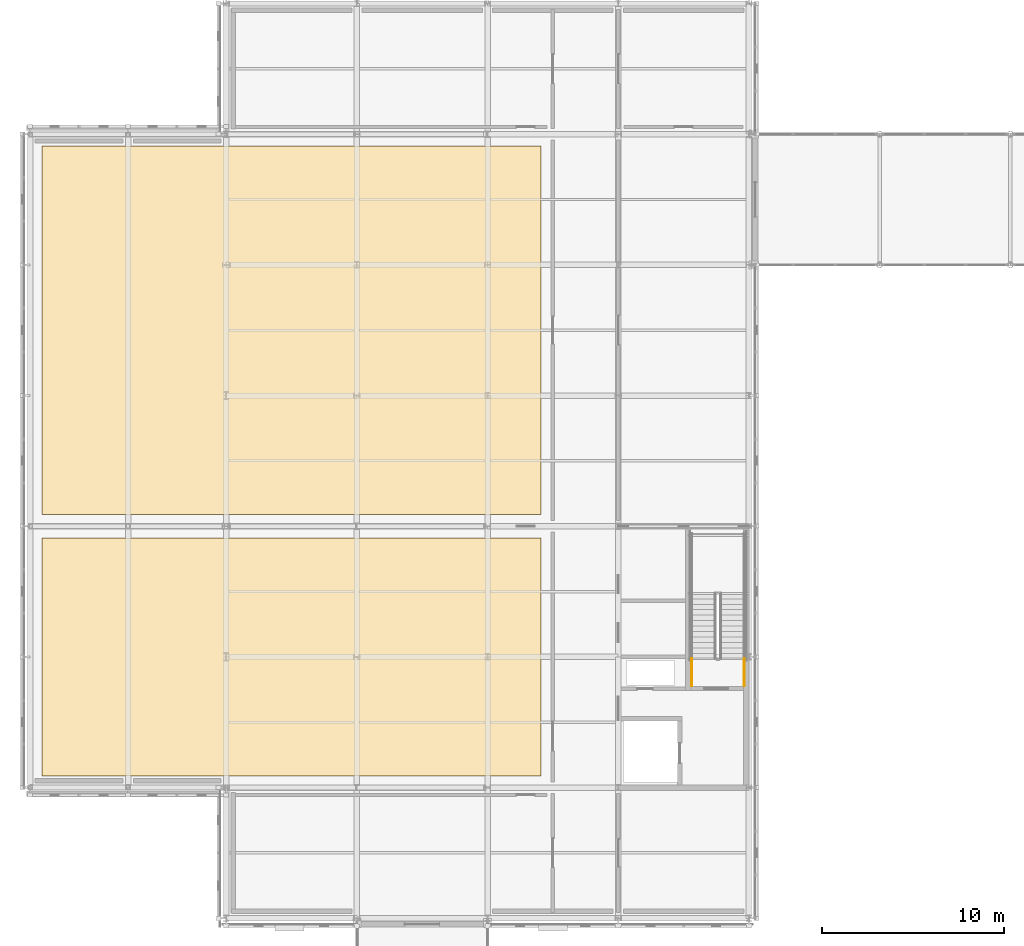
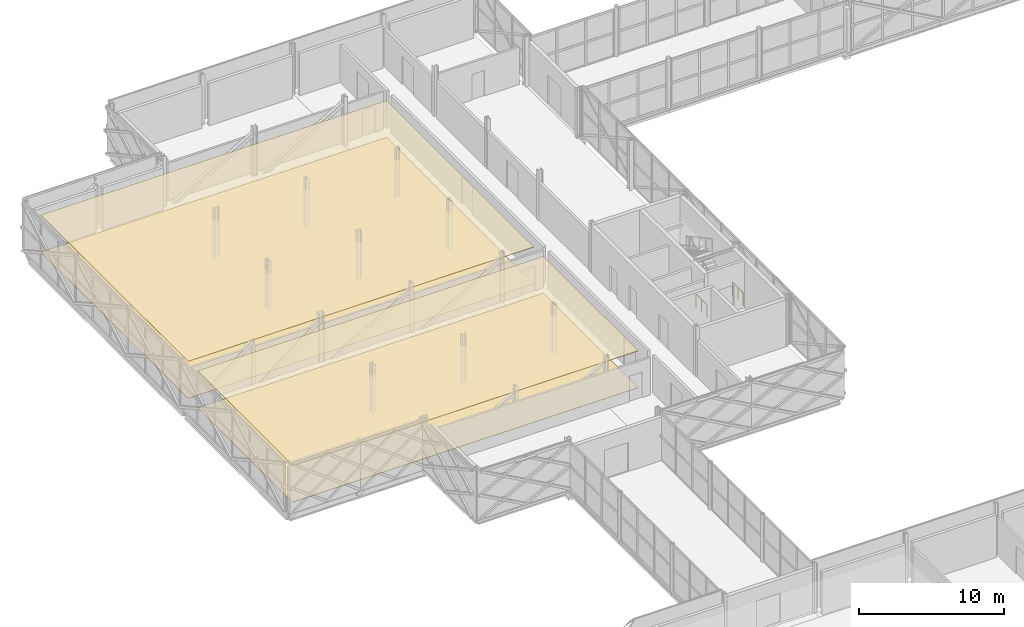
# One storey, part 121 of 126: 4 coverings, 2 railings.
"""IFC4 building model written with IfcOpenShell, lengths in metres."""

from ifc_helpers import new_model, si_unit, direction, frame, origin, origin_2d, place, context, subcontext, project, spatial, polyline, circle, outline, extrude, material, layer, layer_set, type_object, element, save


model = new_model("IFC4")

# Units and contexts
model_context = context("Model", 3, precision=1e-05, world=origin(), true_north=direction((0.0, 1.0)))
body_context = subcontext(model_context, "Body", "Model", "MODEL_VIEW")
ifc_project = project(units=[si_unit("LENGTHUNIT", "METRE"), si_unit("AREAUNIT", "SQUARE_METRE"), si_unit("VOLUMEUNIT", "CUBIC_METRE"), si_unit("PLANEANGLEUNIT", "RADIAN"), si_unit("MASSUNIT", "GRAM", prefix="KILO")], contexts=[model_context])

# Site, building, storey
site_placement = place(None, origin())
site = spatial("IfcSite", under=ifc_project, at=site_placement, CompositionType="ELEMENT")
building_placement = place(site_placement, origin())
building = spatial("IfcBuilding", under=site, at=building_placement, Name="Zlatovets Crest Museum", CompositionType="ELEMENT")
storey_placement = place(building_placement, frame((0.0, 0.0, 8.699951171875)))
storey = spatial("IfcBuildingStorey", under=building, at=storey_placement, Name="L02", CompositionType="ELEMENT", Elevation=8.699951171875)

# Coverings
ifc_material_1 = material(Name="Micro-perforated gypsum acoustic gallery ceiling")
ifc_layer_1 = layer(ifc_material_1, 0.050048828125)
ifc_layer_set_1 = layer_set([ifc_layer_1], Name="Micro-perforated gypsum acoustic gallery ceiling")
covering_type_1 = type_object("IfcCoveringType", Name="GalleryCeiling_CLG1", PredefinedType="CEILING", material=ifc_layer_set_1)
covering_1_placement = place(storey_placement, frame((0.0, 0.0, 3.090087890625)))
element("IfcCovering", 1, at=covering_1_placement, inside=storey, type_object=covering_type_1, Name="Symbolist Painting South Cantilever Gallery Acoustic Ceiling", PredefinedType="CEILING", context=body_context, shape_type="SweptSolid", body=[
    extrude(outline(polyline([(-2.949951171875, 58.25), (24.550048828125, 58.25), (24.550048828125, 71.35009765625), (-2.949951171875, 71.35009765625), (-2.949951171875, 58.25)])), origin(), (0.0, 0.0, 1.0), 0.050048828125),
])
covering_2_placement = place(storey_placement, frame((0.0, 0.0, 3.090087890625)))
element("IfcCovering", 2, at=covering_2_placement, inside=storey, type_object=covering_type_1, Name="Symbolist Painting North Cantilever Gallery Acoustic Ceiling", PredefinedType="CEILING", context=body_context, shape_type="SweptSolid", body=[
    extrude(outline(polyline([(-2.949951171875, 72.64990234375), (24.550048828125, 72.64990234375), (24.550048828125, 92.949951171875), (-2.949951171875, 92.949951171875), (-2.949951171875, 72.64990234375)])), origin(), (0.0, 0.0, 1.0), 0.050048828125),
])
ifc_material_2 = material(Name="Quarter-sawn European oak herringbone gallery parquet")
ifc_layer_2 = layer(ifc_material_2, 0.030029296875)
ifc_layer_set_2 = layer_set([ifc_layer_2], Name="Quarter-sawn European oak herringbone gallery parquet")
covering_type_2 = type_object("IfcCoveringType", Name="GalleryFloor_FLR1", PredefinedType="FLOORING", material=ifc_layer_set_2)
covering_3_placement = place(storey_placement, origin())
element("IfcCovering", 3, at=covering_3_placement, inside=storey, type_object=covering_type_2, Name="Symbolist Painting South Cantilever Gallery Floor Finish", PredefinedType="FLOORING", context=body_context, shape_type="SweptSolid", body=[
    extrude(outline(polyline([(-2.949951171875, 58.25), (24.550048828125, 58.25), (24.550048828125, 71.35009765625), (-2.949951171875, 71.35009765625), (-2.949951171875, 58.25)])), origin(), (0.0, 0.0, 1.0), 0.030029296875),
])
covering_4_placement = place(storey_placement, origin())
element("IfcCovering", 4, at=covering_4_placement, inside=storey, type_object=covering_type_2, Name="Symbolist Painting North Cantilever Gallery Floor Finish", PredefinedType="FLOORING", context=body_context, shape_type="SweptSolid", body=[
    extrude(outline(polyline([(-2.949951171875, 72.64990234375), (24.550048828125, 72.64990234375), (24.550048828125, 92.949951171875), (-2.949951171875, 92.949951171875), (-2.949951171875, 72.64990234375)])), origin(), (0.0, 0.0, 1.0), 0.030029296875),
])

# Railings
ifc_material_3 = material(Name="Painted steel safety guardrail", Category="steel")
railing_type = type_object("IfcRailingType", Name="StairGuard_SG01", PredefinedType="GUARDRAIL", material=ifc_material_3)
for number, where, name in (
    (5, (35.75, 63.199951171875, 0.0), "L02 ST4 stair guard 7"),
    (6, (32.85009765625, 63.199951171875, 0.0), "L02 ST4 stair guard 8"),
):
    element("IfcRailing", number, at=place(storey_placement, frame(where)), inside=storey, type_object=railing_type, Name=name, PredefinedType="GUARDRAIL", context=body_context, shape_type="SweptSolid", body=[
        extrude(circle(Radius=0.02392578125, at=origin_2d()), frame((0.0, 0.0, 1.076171875), z_axis=(0.0, 1.0, 0.0), x_axis=(-1.0, 0.0, 0.0)), (0.0, 0.0, 1.0), 1.5),
        extrude(circle(Radius=0.02099609375, at=origin_2d()), origin(), (0.0, 0.0, 1.0), 1.052001953125),
        extrude(circle(Radius=0.02099609375, at=origin_2d()), frame((0.0, 0.75, 0.0)), (0.0, 0.0, 1.0), 1.052001953125),
        extrude(circle(Radius=0.02099609375, at=origin_2d()), frame((0.0, 1.5, 0.0)), (0.0, 0.0, 1.0), 1.052001953125),
    ])

save(model, "model.ifc")
